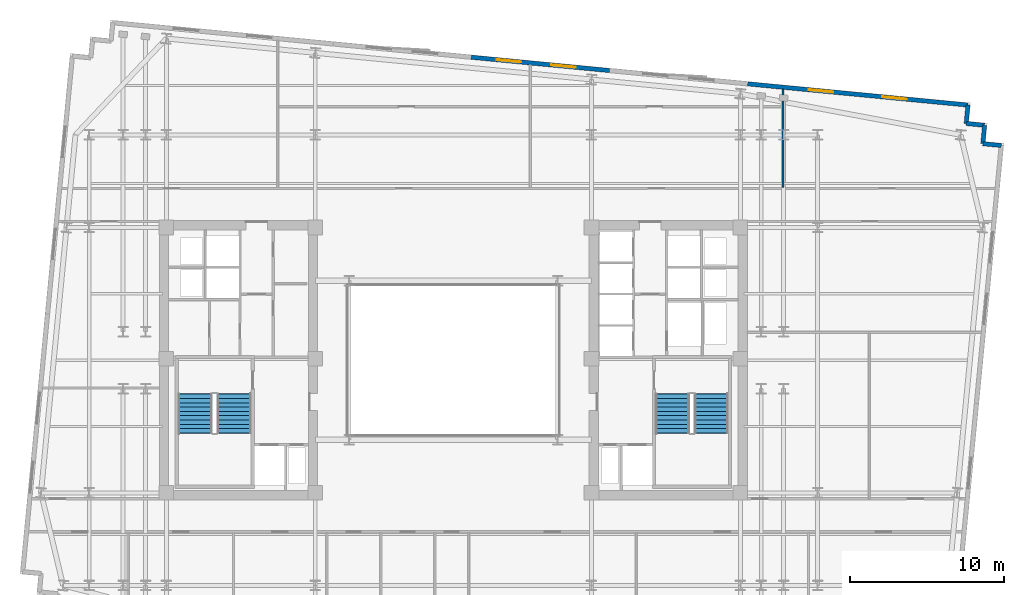
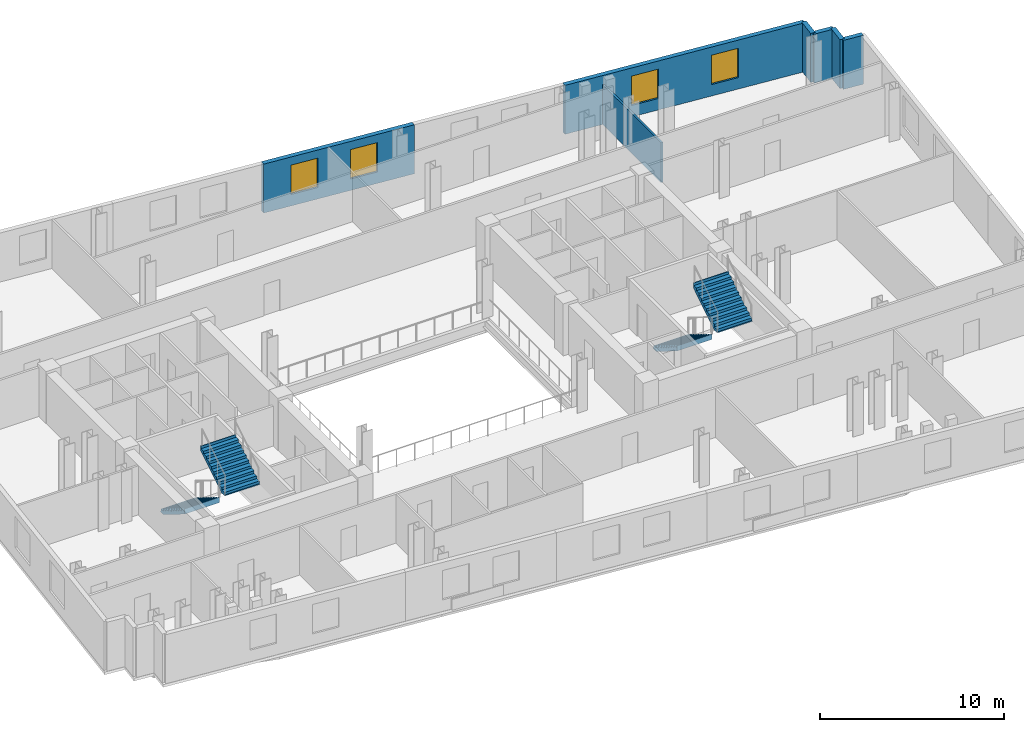
# One storey, part 7 of 9: 7 walls, 4 stair flights, 4 windows, 4 openings, 2 elements without a shape of their own.
"""IFC4 building model written with IfcOpenShell, lengths in metres."""

from ifc_helpers import new_model, si_unit, direction, frame, frame_2d, origin, place, context, subcontext, project, spatial, polyline, rectangle, outline, extrude, material, layer, layer_set, type_object, element, fill, aggregate, save


model = new_model("IFC4")

# Units and contexts
model_context = context("Model", 3, precision=1e-05, world=origin(), true_north=direction((0.0, 1.0)))
body_context = subcontext(model_context, "Body", "Model", "MODEL_VIEW")
ifc_project = project(units=[si_unit("LENGTHUNIT", "METRE"), si_unit("AREAUNIT", "SQUARE_METRE"), si_unit("VOLUMEUNIT", "CUBIC_METRE"), si_unit("PLANEANGLEUNIT", "RADIAN"), si_unit("MASSUNIT", "GRAM", prefix="KILO")], contexts=[model_context])

# Site, building, storey
site_placement = place(None, origin())
site = spatial("IfcSite", under=ifc_project, at=site_placement, CompositionType="ELEMENT")
building_placement = place(site_placement, origin())
building = spatial("IfcBuilding", under=site, at=building_placement, Name="Velakula Bourse", CompositionType="ELEMENT")
storey_placement = place(building_placement, frame((0.0, 0.0, 184.550048828125)))
storey = spatial("IfcBuildingStorey", under=building, at=storey_placement, Name="L50", CompositionType="ELEMENT", Elevation=184.550048828125)

# Wall, openings, windows
ifc_material_1 = material(Name="Red kilned clay facing brick masonry", Category="masonry")
ifc_layer_1 = layer(ifc_material_1, 0.280029296875, Name="Red kilned clay facing brick masonry", Category="masonry")
ifc_layer_set_1 = layer_set([ifc_layer_1], Name="Red kilned clay facing brick masonry")
wall_type_1 = type_object("IfcWallType", Name="WL-EXT-BRK-280", PredefinedType="STANDARD", material=ifc_layer_set_1)
wall_1_placement = place(storey_placement, frame((1.159912109375, 19.633056640625, 0.0), z_axis=(0.0, 0.0, 1.0), x_axis=(0.995394455533, -0.09586385082, 0.0)))
wall_1 = element("IfcWall", 1, at=wall_1_placement, inside=storey, type_object=wall_type_1, Name="L50 N Brick Spandrel Wall B3", PredefinedType="STANDARD", context=body_context, shape_type="SweptSolid", body=[
    extrude(rectangle(XDim=9.000244140625, YDim=0.280029296875, at=frame_2d((4.5, 0.0))), origin(), (0.0, 0.0, 1.0), 3.25),
])
opening_1_placement = place(wall_1_placement, frame((1.64990234375, 0.0, 0.760009765625)))
opening_1 = element("IfcOpeningElement", 2, at=opening_1_placement, cuts=wall_1, Name="Opening W-02", PredefinedType="OPENING", context=body_context, shape_type="SweptSolid", body=[
    extrude(rectangle(XDim=1.60009765625, YDim=1.949951171875, at=frame_2d((0.800048828125, 0.97509765625))), frame((0.0, 0.14990234375, 0.0), z_axis=(0.0, -1.0, 0.0), x_axis=(1.0, 0.0, 0.0)), (0.0, 0.0, 1.0), 0.300048828125),
])
opening_2_placement = place(wall_1_placement, frame((5.199951171875, 0.0, 0.760009765625)))
opening_2 = element("IfcOpeningElement", 3, at=opening_2_placement, cuts=wall_1, Name="Opening W-02", PredefinedType="OPENING", context=body_context, shape_type="SweptSolid", body=[
    extrude(rectangle(XDim=1.60009765625, YDim=1.949951171875, at=frame_2d((0.800048828125, 0.97509765625))), frame((0.0, 0.14990234375, 0.0), z_axis=(0.0, -1.0, 0.0), x_axis=(1.0, 0.0, 0.0)), (0.0, 0.0, 1.0), 0.300048828125),
])
ifc_material_2 = material(Name="Double-glazed solar-control Low-E glass", Category="glass")
window_type = type_object("IfcWindowType", Name="WIN-TWR-1600x2100", PartitioningType="SINGLE_PANEL", PredefinedType="WINDOW", material=ifc_material_2)
window_1_placement = place(opening_1_placement, origin())
window_1 = element("IfcWindow", 4, at=window_1_placement, inside=storey, type_object=window_type, Name="L50 Deep-Set Recessed Window 1", OverallHeight=1.949951171875, OverallWidth=1.60009765625, PartitioningType="SINGLE_PANEL", PredefinedType="WINDOW", context=body_context, shape_type="SweptSolid", body=[
    extrude(rectangle(XDim=1.60009765625, YDim=1.949951171875, at=frame_2d((0.800048828125, 0.97509765625))), frame((0.0, 0.030029296875, 0.0), z_axis=(0.0, -1.0, 0.0), x_axis=(1.0, 0.0, 0.0)), (0.0, 0.0, 1.0), 0.06005859375),
])
fill(opening_1, window_1)
window_2_placement = place(opening_2_placement, origin())
window_2 = element("IfcWindow", 5, at=window_2_placement, inside=storey, type_object=window_type, Name="L50 Deep-Set Recessed Window 2", OverallHeight=1.949951171875, OverallWidth=1.60009765625, PartitioningType="SINGLE_PANEL", PredefinedType="WINDOW", context=body_context, shape_type="SweptSolid", body=[
    extrude(rectangle(XDim=1.60009765625, YDim=1.949951171875, at=frame_2d((0.800048828125, 0.97509765625))), frame((0.0, 0.030029296875, 0.0), z_axis=(0.0, -1.0, 0.0), x_axis=(1.0, 0.0, 0.0)), (0.0, 0.0, 1.0), 0.06005859375),
])
fill(opening_2, window_2)

wall_2_placement = place(storey_placement, frame((19.0771484375, 17.90771484375, 0.0), z_axis=(0.0, 0.0, 1.0), x_axis=(0.995395606285, -0.095851901334, 0.0)))
wall_2 = element("IfcWall", 6, at=wall_2_placement, inside=storey, type_object=wall_type_1, Name="L50 N Brick Spandrel Wall B5", PredefinedType="STANDARD", context=body_context, shape_type="SweptSolid", body=[
    extrude(rectangle(XDim=14.33984375, YDim=0.280029296875, at=frame_2d((7.169921875, 0.0))), origin(), (0.0, 0.0, 1.0), 3.25),
])
opening_3_placement = place(wall_2_placement, frame((3.97998046875, 0.0, 0.760009765625)))
opening_3 = element("IfcOpeningElement", 7, at=opening_3_placement, cuts=wall_2, Name="Opening W-02", PredefinedType="OPENING", context=body_context, shape_type="SweptSolid", body=[
    extrude(rectangle(XDim=1.60009765625, YDim=1.949951171875, at=frame_2d((0.800048828125, 0.97509765625))), frame((0.0, 0.14990234375, 0.0), z_axis=(0.0, -1.0, 0.0), x_axis=(1.0, 0.0, 0.0)), (0.0, 0.0, 1.0), 0.300048828125),
])
opening_4_placement = place(wall_2_placement, frame((8.760009765625, 0.0, 0.760009765625)))
opening_4 = element("IfcOpeningElement", 8, at=opening_4_placement, cuts=wall_2, Name="Opening W-02", PredefinedType="OPENING", context=body_context, shape_type="SweptSolid", body=[
    extrude(rectangle(XDim=1.60009765625, YDim=1.949951171875, at=frame_2d((0.800048828125, 0.97509765625))), frame((0.0, 0.14990234375, 0.0), z_axis=(0.0, -1.0, 0.0), x_axis=(1.0, 0.0, 0.0)), (0.0, 0.0, 1.0), 0.300048828125),
])
window_3_placement = place(opening_3_placement, origin())
window_3 = element("IfcWindow", 9, at=window_3_placement, inside=storey, type_object=window_type, Name="L50 Deep-Set Recessed Window 1", OverallHeight=1.949951171875, OverallWidth=1.60009765625, PartitioningType="SINGLE_PANEL", PredefinedType="WINDOW", context=body_context, shape_type="SweptSolid", body=[
    extrude(rectangle(XDim=1.60009765625, YDim=1.949951171875, at=frame_2d((0.800048828125, 0.97509765625))), frame((0.0, 0.030029296875, 0.0), z_axis=(0.0, -1.0, 0.0), x_axis=(1.0, 0.0, 0.0)), (0.0, 0.0, 1.0), 0.06005859375),
])
fill(opening_3, window_3)
window_4_placement = place(opening_4_placement, origin())
window_4 = element("IfcWindow", 10, at=window_4_placement, inside=storey, type_object=window_type, Name="L50 Deep-Set Recessed Window 2", OverallHeight=1.949951171875, OverallWidth=1.60009765625, PartitioningType="SINGLE_PANEL", PredefinedType="WINDOW", context=body_context, shape_type="SweptSolid", body=[
    extrude(rectangle(XDim=1.60009765625, YDim=1.949951171875, at=frame_2d((0.800048828125, 0.97509765625))), frame((0.0, 0.030029296875, 0.0), z_axis=(0.0, -1.0, 0.0), x_axis=(1.0, 0.0, 0.0)), (0.0, 0.0, 1.0), 0.06005859375),
])
fill(opening_4, window_4)

# Walls
wall_3_placement = place(storey_placement, frame((35.510009765625, 13.914306640625, 0.0), z_axis=(0.0, 0.0, 1.0), x_axis=(-0.995397091755, 0.095836473879, 0.0)))
element("IfcWall", 11, at=wall_3_placement, inside=storey, type_object=wall_type_1, Name="L50 Serrated Corner Brick Wall NE-1", PredefinedType="STANDARD", context=body_context, shape_type="SweptSolid", body=[
    extrude(rectangle(XDim=1.199951171875, YDim=0.280029296875, at=frame_2d((0.60009765625, 0.0))), origin(), (0.0, 0.0, 1.0), 3.25),
])
for number, where, z_axis, x_axis, name in (
    (12, (34.315673828125, 14.029296875, 0.0), (0.0, 0.0, 1.0), (0.095817067274, 0.995398960025, 0.0), "L50 Serrated Corner Brick Wall NE-2"),
    (13, (34.4306640625, 15.223876953125, 0.0), (0.0, 0.0, 1.0), (-0.995398960025, 0.095817067274, 0.0), "L50 Serrated Corner Brick Wall NE-3"),
):
    element("IfcWall", number, at=place(storey_placement, frame(where, z_axis=z_axis, x_axis=x_axis)), inside=storey, type_object=wall_type_1, Name=name, PredefinedType="STANDARD", context=body_context, shape_type="SweptSolid", body=[
        extrude(rectangle(XDim=1.2001953125, YDim=0.280029296875, at=frame_2d((0.60009765625, 0.0))), origin(), (0.0, 0.0, 1.0), 3.25),
    ])
wall_4_placement = place(storey_placement, frame((33.236083984375, 15.3388671875, 0.0), z_axis=(0.0, 0.0, 1.0), x_axis=(0.095836473879, 0.995397091755, 0.0)))
element("IfcWall", 14, at=wall_4_placement, inside=storey, type_object=wall_type_1, Name="L50 Serrated Corner Brick Wall NE-4", PredefinedType="STANDARD", context=body_context, shape_type="SweptSolid", body=[
    extrude(rectangle(XDim=1.199951171875, YDim=0.280029296875, at=frame_2d((0.60009765625, 0.0))), origin(), (0.0, 0.0, 1.0), 3.25),
])
ifc_material_3 = material(Name="Fire-rated double-layer gypsum drywall partition", Category="gypsum")
ifc_layer_2 = layer(ifc_material_3, 0.1201171875, Name="Fire-rated double-layer gypsum drywall partition", Category="gypsum")
ifc_layer_set_2 = layer_set([ifc_layer_2], Name="Fire-rated double-layer gypsum drywall partition")
wall_type_2 = type_object("IfcWallType", Name="WL-PART-120", PredefinedType="STANDARD", material=ifc_layer_set_2)
wall_5_placement = place(storey_placement, frame((21.364990234375, 11.18994140625, 0.0), z_axis=(0.0, 0.0, 1.0), x_axis=(0.0, 1.0, 0.0)))
element("IfcWall", 15, at=wall_5_placement, inside=storey, type_object=wall_type_2, Name="L50 Interior Partition WL-INT-L50-N-D3", PredefinedType="STANDARD", context=body_context, shape_type="SweptSolid", body=[
    extrude(rectangle(XDim=6.376953125, YDim=0.1201171875, at=frame_2d((3.1884765625, 0.0))), origin(), (0.0, 0.0, 1.0), 2.64501953125),
])

# Stair, stair flights
ifc_material_4 = material(Name="Concrete M45 (fck 45 MPa)", Category="concrete")
stair_type = type_object("IfcStairType", Name="STR-DOG-390", PredefinedType="HALF_TURN_STAIR", material=ifc_material_4)
stair_1_placement = place(storey_placement, origin())
stair_1 = element("IfcStair", 16, at=stair_1_placement, inside=storey, type_object=stair_type, Name="L50 West Core Exit Stair ST-W1", PredefinedType="HALF_TURN_STAIR")
ifc_layer_3 = layer(ifc_material_4, 0.195068359375, Name="Concrete M45 (fck 45 MPa)", Category="concrete")
ifc_layer_set_3 = layer_set([ifc_layer_3], Name="Concrete M45 (fck 45 MPa)")
stair_flight_type = type_object("IfcStairFlightType", Name="FLT-DOG-390", PredefinedType="STRAIGHT", material=ifc_layer_set_3)
stair_flight_1_placement = place(storey_placement, frame((-16.720947265625, -2.199951171875, 0.0), z_axis=(0.0, 0.0, 1.0), x_axis=(0.0, -1.0, 0.0)))
stair_flight_1 = element("IfcStairFlight", 17, at=stair_flight_1_placement, type_object=stair_flight_type, Name="ST-W1 flight 1", NumberOfRisers=10, NumberOfTreads=9, PredefinedType="STRAIGHT", RiserHeight=0.1725, TreadLength=0.28, context=body_context, shape_type="SweptSolid", body=[
    extrude(outline(polyline([(-0.044921875, -0.0400390625), (-0.044921875, -0.036865234375), (-0.044921875, -0.033935546875), (-0.044921875, -0.03076171875), (-0.044921875, -0.027587890625), (-0.044921875, -0.024658203125), (-0.044921875, -0.021484375), (-0.044921875, -0.0185546875), (-0.044921875, -0.015380859375), (-0.044921875, -0.01220703125), (-0.044921875, -0.00927734375), (-0.044921875, -0.006103515625), (-0.044921875, -0.003173828125), (-0.044921875, 0.0), (0.0, 0.0), (0.0, 0.172607421875), (0.280029296875, 0.172607421875), (0.280029296875, 0.344970703125), (0.56005859375, 0.344970703125), (0.56005859375, 0.517578125), (0.840087890625, 0.517578125), (0.840087890625, 0.68994140625), (1.1201171875, 0.68994140625), (1.1201171875, 0.862548828125), (1.39990234375, 0.862548828125), (1.39990234375, 1.034912109375), (1.679931640625, 1.034912109375), (1.679931640625, 1.20751953125), (1.9599609375, 1.20751953125), (1.9599609375, 1.3798828125), (2.239990234375, 1.3798828125), (2.239990234375, 1.552490234375), (2.52001953125, 1.552490234375), (2.52001953125, 1.72509765625), (2.56494140625, 1.72509765625), (2.56494140625, 1.7001953125), (2.56494140625, 1.67529296875), (2.56494140625, 1.650390625), (2.56494140625, 1.62548828125), (2.56494140625, 1.6005859375), (2.56494140625, 1.57568359375), (2.56494140625, 1.55078125), (2.56494140625, 1.52587890625), (2.56494140625, 1.5009765625), (2.56494140625, 1.47607421875), (2.56494140625, 1.451171875), (2.56494140625, 1.42626953125), (2.56494140625, 1.4013671875), (2.56494140625, 1.37646484375), (0.285888671875, -0.0400390625), (-0.044921875, -0.0400390625)])), frame((0.0, 1.09912109375, 0.0), z_axis=(0.0, -1.0, 0.0), x_axis=(1.0, 0.0, 0.0)), (0.0, 0.0, 1.0), 2.197998046875),
])
stair_flight_2_placement = place(storey_placement, frame((-14.198974609375, -4.719970703125, 1.724853515625), z_axis=(0.0, 0.0, 1.0), x_axis=(0.0, 1.0, 0.0)))
stair_flight_2 = element("IfcStairFlight", 18, at=stair_flight_2_placement, type_object=stair_flight_type, Name="ST-W1 flight 2", NumberOfRisers=10, NumberOfTreads=9, PredefinedType="STRAIGHT", RiserHeight=0.1725, TreadLength=0.28, context=body_context, shape_type="SweptSolid", body=[
    extrude(outline(polyline([(-0.044921875, -0.0400390625), (-0.044921875, -0.036865234375), (-0.044921875, -0.033935546875), (-0.044921875, -0.03076171875), (-0.044921875, -0.027587890625), (-0.044921875, -0.024658203125), (-0.044921875, -0.021484375), (-0.044921875, -0.0185546875), (-0.044921875, -0.015380859375), (-0.044921875, -0.01220703125), (-0.044921875, -0.00927734375), (-0.044921875, -0.006103515625), (-0.044921875, -0.003173828125), (-0.044921875, 0.0), (0.0, 0.0), (0.0, 0.172607421875), (0.280029296875, 0.172607421875), (0.280029296875, 0.344970703125), (0.56005859375, 0.344970703125), (0.56005859375, 0.517578125), (0.840087890625, 0.517578125), (0.840087890625, 0.68994140625), (1.1201171875, 0.68994140625), (1.1201171875, 0.862548828125), (1.39990234375, 0.862548828125), (1.39990234375, 1.034912109375), (1.679931640625, 1.034912109375), (1.679931640625, 1.20751953125), (1.9599609375, 1.20751953125), (1.9599609375, 1.3798828125), (2.239990234375, 1.3798828125), (2.239990234375, 1.552490234375), (2.52001953125, 1.552490234375), (2.52001953125, 1.72509765625), (2.56494140625, 1.72509765625), (2.56494140625, 1.7001953125), (2.56494140625, 1.67529296875), (2.56494140625, 1.650390625), (2.56494140625, 1.62548828125), (2.56494140625, 1.6005859375), (2.56494140625, 1.57568359375), (2.56494140625, 1.55078125), (2.56494140625, 1.52587890625), (2.56494140625, 1.5009765625), (2.56494140625, 1.47607421875), (2.56494140625, 1.451171875), (2.56494140625, 1.42626953125), (2.56494140625, 1.4013671875), (2.56494140625, 1.37646484375), (0.285888671875, -0.0400390625), (-0.044921875, -0.0400390625)])), frame((0.0, 1.09912109375, 0.0), z_axis=(0.0, -1.0, 0.0), x_axis=(1.0, 0.0, 0.0)), (0.0, 0.0, 1.0), 2.197998046875),
])
aggregate(stair_1, [stair_flight_1, stair_flight_2])

stair_2_placement = place(storey_placement, origin())
stair_2 = element("IfcStair", 19, at=stair_2_placement, inside=storey, type_object=stair_type, Name="L50 East Core Exit Stair ST-E1", PredefinedType="HALF_TURN_STAIR")
stair_flight_3_placement = place(storey_placement, frame((14.198974609375, -2.199951171875, 0.0), z_axis=(0.0, 0.0, 1.0), x_axis=(0.0, -1.0, 0.0)))
stair_flight_3 = element("IfcStairFlight", 20, at=stair_flight_3_placement, type_object=stair_flight_type, Name="ST-E1 flight 1", NumberOfRisers=10, NumberOfTreads=9, PredefinedType="STRAIGHT", RiserHeight=0.1725, TreadLength=0.28, context=body_context, shape_type="SweptSolid", body=[
    extrude(outline(polyline([(-0.044921875, -0.0400390625), (-0.044921875, -0.036865234375), (-0.044921875, -0.033935546875), (-0.044921875, -0.03076171875), (-0.044921875, -0.027587890625), (-0.044921875, -0.024658203125), (-0.044921875, -0.021484375), (-0.044921875, -0.0185546875), (-0.044921875, -0.015380859375), (-0.044921875, -0.01220703125), (-0.044921875, -0.00927734375), (-0.044921875, -0.006103515625), (-0.044921875, -0.003173828125), (-0.044921875, 0.0), (0.0, 0.0), (0.0, 0.172607421875), (0.280029296875, 0.172607421875), (0.280029296875, 0.344970703125), (0.56005859375, 0.344970703125), (0.56005859375, 0.517578125), (0.840087890625, 0.517578125), (0.840087890625, 0.68994140625), (1.1201171875, 0.68994140625), (1.1201171875, 0.862548828125), (1.39990234375, 0.862548828125), (1.39990234375, 1.034912109375), (1.679931640625, 1.034912109375), (1.679931640625, 1.20751953125), (1.9599609375, 1.20751953125), (1.9599609375, 1.3798828125), (2.239990234375, 1.3798828125), (2.239990234375, 1.552490234375), (2.52001953125, 1.552490234375), (2.52001953125, 1.72509765625), (2.56494140625, 1.72509765625), (2.56494140625, 1.7001953125), (2.56494140625, 1.67529296875), (2.56494140625, 1.650390625), (2.56494140625, 1.62548828125), (2.56494140625, 1.6005859375), (2.56494140625, 1.57568359375), (2.56494140625, 1.55078125), (2.56494140625, 1.52587890625), (2.56494140625, 1.5009765625), (2.56494140625, 1.47607421875), (2.56494140625, 1.451171875), (2.56494140625, 1.42626953125), (2.56494140625, 1.4013671875), (2.56494140625, 1.37646484375), (0.285888671875, -0.0400390625), (-0.044921875, -0.0400390625)])), frame((0.0, 1.09912109375, 0.0), z_axis=(0.0, -1.0, 0.0), x_axis=(1.0, 0.0, 0.0)), (0.0, 0.0, 1.0), 2.197998046875),
])
stair_flight_4_placement = place(storey_placement, frame((16.720947265625, -4.719970703125, 1.724853515625), z_axis=(0.0, 0.0, 1.0), x_axis=(0.0, 1.0, 0.0)))
stair_flight_4 = element("IfcStairFlight", 21, at=stair_flight_4_placement, type_object=stair_flight_type, Name="ST-E1 flight 2", NumberOfRisers=10, NumberOfTreads=9, PredefinedType="STRAIGHT", RiserHeight=0.1725, TreadLength=0.28, context=body_context, shape_type="SweptSolid", body=[
    extrude(outline(polyline([(-0.044921875, -0.0400390625), (-0.044921875, -0.036865234375), (-0.044921875, -0.033935546875), (-0.044921875, -0.03076171875), (-0.044921875, -0.027587890625), (-0.044921875, -0.024658203125), (-0.044921875, -0.021484375), (-0.044921875, -0.0185546875), (-0.044921875, -0.015380859375), (-0.044921875, -0.01220703125), (-0.044921875, -0.00927734375), (-0.044921875, -0.006103515625), (-0.044921875, -0.003173828125), (-0.044921875, 0.0), (0.0, 0.0), (0.0, 0.172607421875), (0.280029296875, 0.172607421875), (0.280029296875, 0.344970703125), (0.56005859375, 0.344970703125), (0.56005859375, 0.517578125), (0.840087890625, 0.517578125), (0.840087890625, 0.68994140625), (1.1201171875, 0.68994140625), (1.1201171875, 0.862548828125), (1.39990234375, 0.862548828125), (1.39990234375, 1.034912109375), (1.679931640625, 1.034912109375), (1.679931640625, 1.20751953125), (1.9599609375, 1.20751953125), (1.9599609375, 1.3798828125), (2.239990234375, 1.3798828125), (2.239990234375, 1.552490234375), (2.52001953125, 1.552490234375), (2.52001953125, 1.72509765625), (2.56494140625, 1.72509765625), (2.56494140625, 1.7001953125), (2.56494140625, 1.67529296875), (2.56494140625, 1.650390625), (2.56494140625, 1.62548828125), (2.56494140625, 1.6005859375), (2.56494140625, 1.57568359375), (2.56494140625, 1.55078125), (2.56494140625, 1.52587890625), (2.56494140625, 1.5009765625), (2.56494140625, 1.47607421875), (2.56494140625, 1.451171875), (2.56494140625, 1.42626953125), (2.56494140625, 1.4013671875), (2.56494140625, 1.37646484375), (0.285888671875, -0.0400390625), (-0.044921875, -0.0400390625)])), frame((0.0, 1.09912109375, 0.0), z_axis=(0.0, -1.0, 0.0), x_axis=(1.0, 0.0, 0.0)), (0.0, 0.0, 1.0), 2.197998046875),
])
aggregate(stair_2, [stair_flight_3, stair_flight_4])

save(model, "model.ifc")
